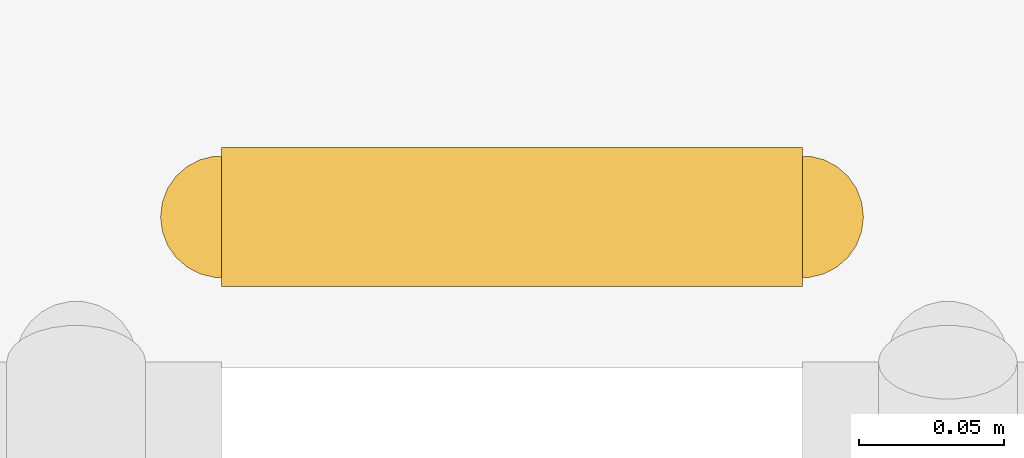
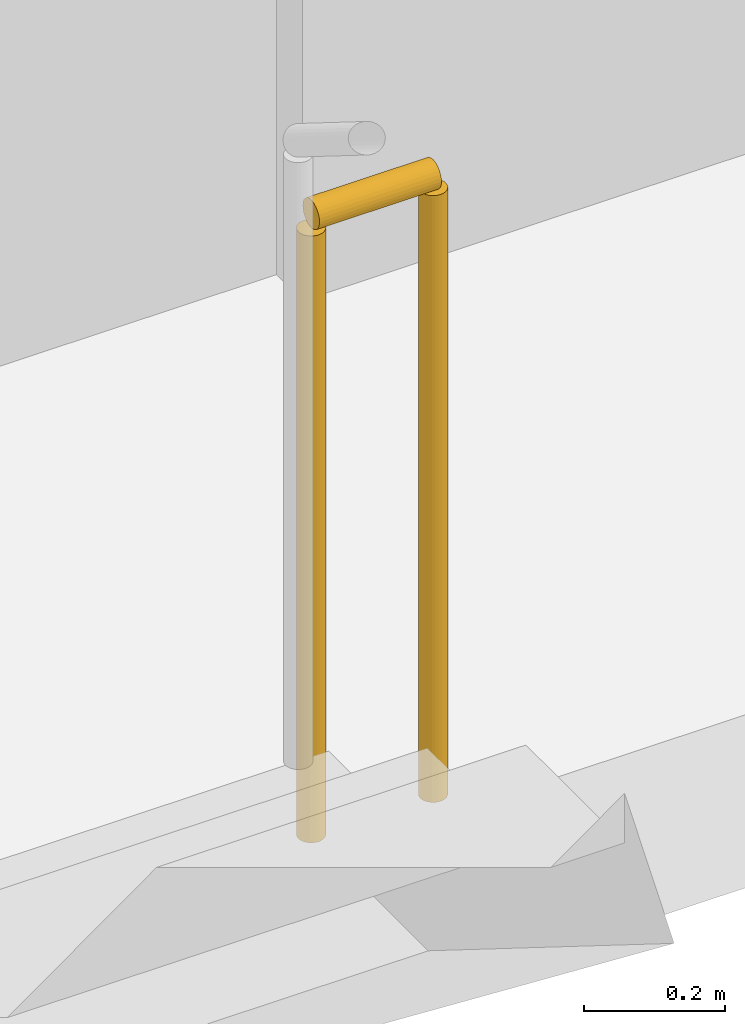
# One storey, part 22 of 22: 1 railing.
"""IFC4 building model written with IfcOpenShell, lengths in metres."""

from ifc_helpers import new_model, si_unit, direction, frame, origin, origin_2d, place, context, subcontext, project, spatial, circle, extrude, material, type_object, element, save


model = new_model("IFC4")

# Units and contexts
model_context = context("Model", 3, precision=1e-05, world=origin(), true_north=direction((0.0, 1.0)))
body_context = subcontext(model_context, "Body", "Model", "MODEL_VIEW")
ifc_project = project(units=[si_unit("LENGTHUNIT", "METRE"), si_unit("AREAUNIT", "SQUARE_METRE"), si_unit("VOLUMEUNIT", "CUBIC_METRE"), si_unit("PLANEANGLEUNIT", "RADIAN"), si_unit("MASSUNIT", "GRAM", prefix="KILO")], contexts=[model_context])

# Site, building, storey
site_placement = place(None, origin())
site = spatial("IfcSite", under=ifc_project, at=site_placement, CompositionType="ELEMENT")
building_placement = place(site_placement, origin())
building = spatial("IfcBuilding", under=site, at=building_placement, Name="Kiln Ring Residences", CompositionType="ELEMENT")
storey_placement = place(building_placement, frame((0.0, 0.0, 62.0)))
storey = spatial("IfcBuildingStorey", under=building, at=storey_placement, Name="L15", CompositionType="ELEMENT", Elevation=62.0)

# Railing
ifc_material = material(Name="Stainless steel", Category="steel")
railing_type = type_object("IfcRailingType", Name="CORE-STAIR-GUARD", PredefinedType="GUARDRAIL", material=ifc_material)
railing_placement = place(storey_placement, frame((22.0, 8.449951171875, 0.0)))
element("IfcRailing", 1, at=railing_placement, inside=storey, type_object=railing_type, Name="L15 E-STN stair guard 4", PredefinedType="GUARDRAIL", context=body_context, shape_type="SweptSolid", body=[
    extrude(circle(Radius=0.02392578125, at=origin_2d()), frame((0.0, 0.0, 1.076171875), z_axis=(1.0, 0.0, 0.0), x_axis=(0.0, 1.0, 0.0)), (0.0, 0.0, 1.0), 0.199951171875),
    extrude(circle(Radius=0.02099609375, at=origin_2d()), origin(), (0.0, 0.0, 1.0), 1.052001953125),
    extrude(circle(Radius=0.02099609375, at=origin_2d()), frame((0.199951171875, 0.0, 0.0)), (0.0, 0.0, 1.0), 1.052001953125),
])

save(model, "model.ifc")
